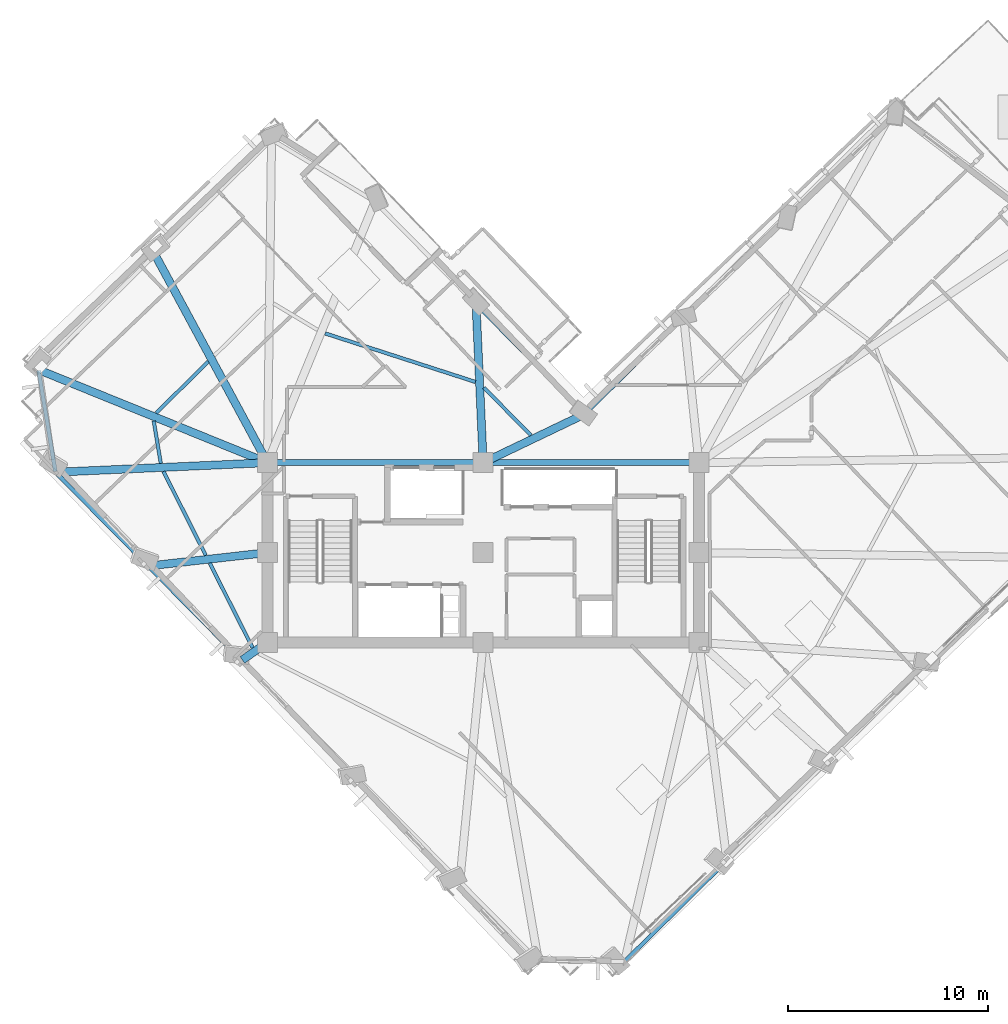
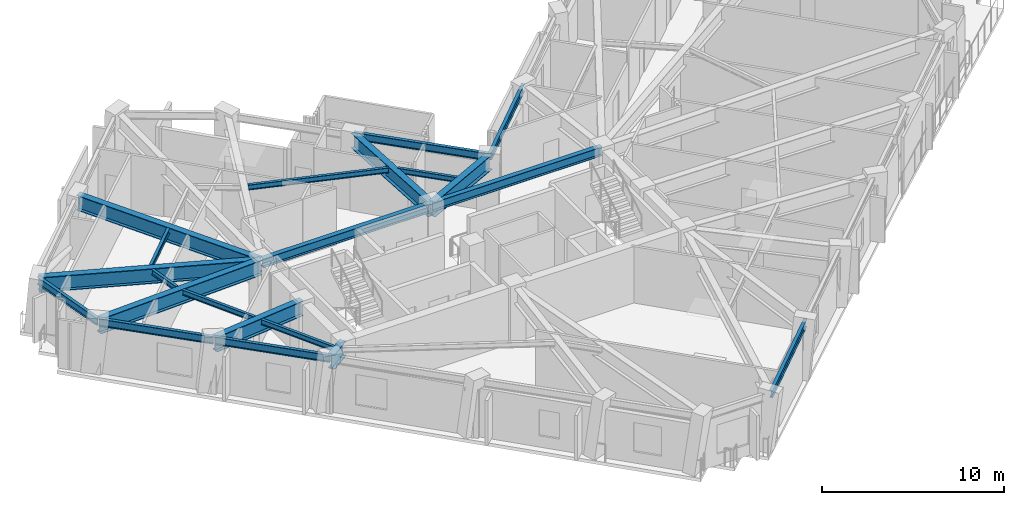
# One storey, part 3 of 17: 21 beams.
"""IFC4 building model written with IfcOpenShell, lengths in metres."""

from ifc_helpers import new_model, si_unit, direction, frame, origin, origin_2d, place, context, subcontext, project, spatial, i_section, extrude, material, material_profile, profile_set, type_object, element, save


model = new_model("IFC4")

# Units and contexts
model_context = context("Model", 3, precision=1e-05, world=origin(), true_north=direction((0.0, 1.0)))
body_context = subcontext(model_context, "Body", "Model", "MODEL_VIEW")
ifc_project = project(units=[si_unit("LENGTHUNIT", "METRE"), si_unit("AREAUNIT", "SQUARE_METRE"), si_unit("VOLUMEUNIT", "CUBIC_METRE"), si_unit("PLANEANGLEUNIT", "RADIAN"), si_unit("MASSUNIT", "GRAM", prefix="KILO")], contexts=[model_context])

# Site, building, storey
site_placement = place(None, origin())
site = spatial("IfcSite", under=ifc_project, at=site_placement, CompositionType="ELEMENT")
building_placement = place(site_placement, origin())
building = spatial("IfcBuilding", under=site, at=building_placement, Name="Gaonmaruhae Medical Tower", CompositionType="ELEMENT")
storey_placement = place(building_placement, frame((0.0, 0.0, 211.199951171875)))
storey = spatial("IfcBuildingStorey", under=building, at=storey_placement, Name="L50", CompositionType="ELEMENT", Elevation=211.199951171875)

# Beams
ifc_material_1 = material(Name="Steel SM420", Category="steel")
ifc_material_profile_1 = material_profile(ifc_material_1, i_section(OverallWidth=0.39990234375, OverallDepth=1.0, WebThickness=0.02197265625, FlangeThickness=0.035888671875, at=origin_2d()), Name="BH-1000x400x22x36")
ifc_profile_set_1 = profile_set([ifc_material_profile_1], Name="Steel SM420")
beam_type_1 = type_object("IfcBeamType", Name="BG-02 Refuge Floor Primary Girder (BH-1000x400x22x36)", PredefinedType="BEAM", material=ifc_profile_set_1)
beam_1_placement = place(storey_placement, frame((24.84521484375, 16.821533203125, 3.280029296875), z_axis=(0.901952243101, 0.431835791898, 0.0), x_axis=(-0.431835791898, 0.901952243101, 0.0)))
element("IfcBeam", 1, at=beam_1_placement, inside=storey, type_object=beam_type_1, Name="L50 Radial Primary Girder KN01", PredefinedType="BEAM", context=body_context, shape_type="SweptSolid", body=[
    extrude(i_section(OverallWidth=0.39990234375, OverallDepth=1.0, WebThickness=0.02197265625, FlangeThickness=0.035888671875, at=origin_2d()), origin(), (0.0, 0.0, 1.0), 5.542236328125),
])
beam_2_placement = place(storey_placement, frame((24.7978515625, 16.849853515625, 3.280029296875), z_axis=(-0.044925670851, 0.998990332335, 0.0), x_axis=(-0.998990332335, -0.044925670851, 0.0)))
element("IfcBeam", 2, at=beam_2_placement, inside=storey, type_object=beam_type_1, Name="L50 Radial Primary Girder NE01", PredefinedType="BEAM", context=body_context, shape_type="SweptSolid", body=[
    extrude(i_section(OverallWidth=0.39990234375, OverallDepth=1.0, WebThickness=0.02197265625, FlangeThickness=0.035888671875, at=origin_2d()), origin(), (0.0, 0.0, 1.0), 7.85791015625),
])
beam_3_placement = place(storey_placement, frame((13.976318359375, 16.843994140625, 3.280029296875), z_axis=(-0.475442224675, 0.879746947137, 0.0), x_axis=(-0.879746947137, -0.475442224675, 0.0)))
element("IfcBeam", 3, at=beam_3_placement, inside=storey, type_object=beam_type_1, Name="L50 Radial Primary Girder N02", PredefinedType="BEAM", context=body_context, shape_type="SweptSolid", body=[
    extrude(i_section(OverallWidth=0.39990234375, OverallDepth=1.0, WebThickness=0.02197265625, FlangeThickness=0.035888671875, at=origin_2d()), origin(), (0.0, 0.0, 1.0), 11.74072265625),
])
beam_4_placement = place(storey_placement, frame((13.95361328125, 16.81884765625, 3.280029296875), z_axis=(-0.926544817542, 0.376184397718, 0.0), x_axis=(-0.376184397718, -0.926544817542, 0.0)))
element("IfcBeam", 4, at=beam_4_placement, inside=storey, type_object=beam_type_1, Name="L50 Radial Primary Girder N03", PredefinedType="BEAM", context=body_context, shape_type="SweptSolid", body=[
    extrude(i_section(OverallWidth=0.39990234375, OverallDepth=1.0, WebThickness=0.02197265625, FlangeThickness=0.035888671875, at=origin_2d()), origin(), (0.0, 0.0, 1.0), 12.271728515625),
])
beam_5_placement = place(storey_placement, frame((13.949951171875, 16.7978515625, 3.280029296875), z_axis=(-0.998987257578, -0.044993990673, 0.0), x_axis=(0.044993990673, -0.998987257578, 0.0)))
element("IfcBeam", 5, at=beam_5_placement, inside=storey, type_object=beam_type_1, Name="L50 Radial Primary Girder W01", PredefinedType="BEAM", context=body_context, shape_type="SweptSolid", body=[
    extrude(i_section(OverallWidth=0.39990234375, OverallDepth=1.0, WebThickness=0.02197265625, FlangeThickness=0.035888671875, at=origin_2d()), origin(), (0.0, 0.0, 1.0), 10.521240234375),
])
beam_6_placement = place(storey_placement, frame((13.9501953125, 12.29443359375, 3.280029296875), z_axis=(-0.993708692722, -0.111995687452, 0.0), x_axis=(0.111995687452, -0.993708692722, 0.0)))
element("IfcBeam", 6, at=beam_6_placement, inside=storey, type_object=beam_type_1, Name="L50 Radial Primary Girder W02", PredefinedType="BEAM", context=body_context, shape_type="SweptSolid", body=[
    extrude(i_section(OverallWidth=0.39990234375, OverallDepth=1.0, WebThickness=0.02197265625, FlangeThickness=0.035888671875, at=origin_2d()), origin(), (0.0, 0.0, 1.0), 5.90966796875),
])
beam_7_placement = place(storey_placement, frame((13.958984375, 7.771484375, 3.280029296875), z_axis=(-0.820707091107, -0.571349166978, 0.0), x_axis=(0.571349166978, -0.820707091107, 0.0)))
element("IfcBeam", 7, at=beam_7_placement, inside=storey, type_object=beam_type_1, Name="L50 Radial Primary Girder W03", PredefinedType="BEAM", context=body_context, shape_type="SweptSolid", body=[
    extrude(i_section(OverallWidth=0.39990234375, OverallDepth=1.0, WebThickness=0.02197265625, FlangeThickness=0.035888671875, at=origin_2d()), origin(), (0.0, 0.0, 1.0), 1.482421875),
])
ifc_material_2 = material(Name="Steel SM355", Category="steel")
ifc_material_profile_2 = material_profile(ifc_material_2, i_section(OverallWidth=0.175048828125, OverallDepth=0.35009765625, WebThickness=0.007080078125, FlangeThickness=0.010986328125, FilletRadius=0.012939453125, at=origin_2d()), Name="H-350x175x7x11")
ifc_profile_set_2 = profile_set([ifc_material_profile_2], Name="Steel SM355")
beam_type_2 = type_object("IfcBeamType", Name="FJ-02 Upper Zone Ward Floor Joist (H-350x175x7x11)", PredefinedType="JOIST", material=ifc_profile_set_2)
beam_8_placement = place(storey_placement, frame((27.191650390625, 18.173095703125, 3.60498046875), z_axis=(-0.702797723295, 0.711389738562, 0.0), x_axis=(-0.711389738562, -0.702797723295, 0.0)))
element("IfcBeam", 8, at=beam_8_placement, inside=storey, type_object=beam_type_2, Name="L50 Secondary Floor Joist FJ10", PredefinedType="JOIST", context=body_context, shape_type="SweptSolid", body=[
    extrude(i_section(OverallWidth=0.175048828125, OverallDepth=0.35009765625, WebThickness=0.007080078125, FlangeThickness=0.010986328125, FilletRadius=0.012939453125, at=origin_2d()), origin(), (0.0, 0.0, 1.0), 3.35302734375),
])
beam_9_placement = place(storey_placement, frame((24.412353515625, 20.84228515625, 3.60498046875), z_axis=(-0.951599720622, 0.307340156362, 0.0), x_axis=(-0.307340156362, -0.951599720622, 0.0)))
element("IfcBeam", 9, at=beam_9_placement, inside=storey, type_object=beam_type_2, Name="L50 Secondary Floor Joist FJ11", PredefinedType="JOIST", context=body_context, shape_type="SweptSolid", body=[
    extrude(i_section(OverallWidth=0.175048828125, OverallDepth=0.35009765625, WebThickness=0.007080078125, FlangeThickness=0.010986328125, FilletRadius=0.012939453125, at=origin_2d()), origin(), (0.0, 0.0, 1.0), 7.9072265625),
])
beam_10_placement = place(storey_placement, frame((11.03271484375, 21.85791015625, 3.60498046875), z_axis=(-0.711360738638, -0.702827076544, 0.0), x_axis=(0.702827076544, -0.711360738638, 0.0)))
element("IfcBeam", 10, at=beam_10_placement, inside=storey, type_object=beam_type_2, Name="L50 Secondary Floor Joist FJ14", PredefinedType="JOIST", context=body_context, shape_type="SweptSolid", body=[
    extrude(i_section(OverallWidth=0.175048828125, OverallDepth=0.35009765625, WebThickness=0.007080078125, FlangeThickness=0.010986328125, FilletRadius=0.012939453125, at=origin_2d()), origin(), (0.0, 0.0, 1.0), 3.661865234375),
])
beam_11_placement = place(storey_placement, frame((8.307861328125, 18.8896484375, 3.60498046875), z_axis=(0.163976021817, -0.986464324884, 0.0), x_axis=(0.986464324884, 0.163976021817, 0.0)))
element("IfcBeam", 11, at=beam_11_placement, inside=storey, type_object=beam_type_2, Name="L50 Secondary Floor Joist FJ15", PredefinedType="JOIST", context=body_context, shape_type="SweptSolid", body=[
    extrude(i_section(OverallWidth=0.175048828125, OverallDepth=0.35009765625, WebThickness=0.007080078125, FlangeThickness=0.010986328125, FilletRadius=0.012939453125, at=origin_2d()), origin(), (0.0, 0.0, 1.0), 2.15283203125),
])
beam_12_placement = place(storey_placement, frame((8.796142578125, 16.360107421875, 3.60498046875), z_axis=(0.450386311746, -0.89283378643, 0.0), x_axis=(0.89283378643, 0.450386311746, 0.0)))
element("IfcBeam", 12, at=beam_12_placement, inside=storey, type_object=beam_type_2, Name="L50 Secondary Floor Joist FJ16", PredefinedType="JOIST", context=body_context, shape_type="SweptSolid", body=[
    extrude(i_section(OverallWidth=0.175048828125, OverallDepth=0.35009765625, WebThickness=0.007080078125, FlangeThickness=0.010986328125, FilletRadius=0.012939453125, at=origin_2d()), origin(), (0.0, 0.0, 1.0), 4.705078125),
])
beam_13_placement = place(storey_placement, frame((11.113037109375, 11.767822265625, 3.60498046875), z_axis=(0.451673312089, -0.89218339995, 0.0), x_axis=(0.89218339995, 0.451673312089, 0.0)))
element("IfcBeam", 13, at=beam_13_placement, inside=storey, type_object=beam_type_2, Name="L50 Secondary Floor Joist FJ17", PredefinedType="JOIST", context=body_context, shape_type="SweptSolid", body=[
    extrude(i_section(OverallWidth=0.175048828125, OverallDepth=0.35009765625, WebThickness=0.007080078125, FlangeThickness=0.010986328125, FilletRadius=0.012939453125, at=origin_2d()), origin(), (0.0, 0.0, 1.0), 4.745849609375),
])
ifc_material_profile_3 = material_profile(ifc_material_1, i_section(OverallWidth=0.300048828125, OverallDepth=0.60009765625, WebThickness=0.011962890625, FlangeThickness=0.02001953125, FilletRadius=0.012939453125, at=origin_2d()), Name="H-600x300x12x20")
ifc_profile_set_3 = profile_set([ifc_material_profile_3], Name="Steel SM420")
beam_type_3 = type_object("IfcBeamType", Name="PG-04 Zone 4 Radial Floor Girder (H-600x300x12x20)", PredefinedType="BEAM", material=ifc_profile_set_3)
for number, where, z_axis, x_axis, name in (
    (14, (14.050048828125, 16.800048828125, 3.47998046875), (1.0, 0.0, 0.0), (0.0, 1.0, 0.0), "L50 Beam BM-L50-CG-N1"),
    (15, (24.85009765625, 16.800048828125, 3.47998046875), (1.0, 0.0, 0.0), (0.0, 1.0, 0.0), "L50 Beam BM-L50-CG-N2"),
):
    element("IfcBeam", number, at=place(storey_placement, frame(where, z_axis=z_axis, x_axis=x_axis)), inside=storey, type_object=beam_type_3, Name=name, PredefinedType="BEAM", context=body_context, shape_type="SweptSolid", body=[
        extrude(i_section(OverallWidth=0.300048828125, OverallDepth=0.60009765625, WebThickness=0.011962890625, FlangeThickness=0.02001953125, FilletRadius=0.012939453125, at=origin_2d()), origin(), (0.0, 0.0, 1.0), 10.699951171875),
    ])
ifc_material_profile_4 = material_profile(ifc_material_2, i_section(OverallWidth=0.199951171875, OverallDepth=0.5, WebThickness=0.010009765625, FlangeThickness=0.01611328125, FilletRadius=0.012939453125, at=origin_2d()), Name="H-500x200x10x16")
ifc_profile_set_4 = profile_set([ifc_material_profile_4], Name="Steel SM355")
beam_type_4 = type_object("IfcBeamType", Name="SP-02 Upper Perimeter Spandrel Beam (H-500x200x10x16)", PredefinedType="SPANDREL", material=ifc_profile_set_4)
beam_14_placement = place(storey_placement, frame((31.90673828125, -8.1484375, 3.530029296875), z_axis=(0.711414118366, 0.702773044581, 0.0), x_axis=(-0.702773044581, 0.711414118366, 0.0)))
element("IfcBeam", 16, at=beam_14_placement, inside=storey, type_object=beam_type_4, Name="L50 Perimeter Spandrel Beam S01-S02", PredefinedType="SPANDREL", context=body_context, shape_type="SweptSolid", body=[
    extrude(i_section(OverallWidth=0.199951171875, OverallDepth=0.5, WebThickness=0.010009765625, FlangeThickness=0.01611328125, FilletRadius=0.012939453125, at=origin_2d()), origin(), (0.0, 0.0, 1.0), 7.119873046875),
])
beam_15_placement = place(storey_placement, frame((34.804931640625, 24.092529296875, 3.530029296875), z_axis=(-0.711429087899, -0.702757890664, 0.0), x_axis=(0.702757890664, -0.711429087899, 0.0)))
element("IfcBeam", 17, at=beam_15_placement, inside=storey, type_object=beam_type_4, Name="L50 Perimeter Spandrel Beam EN02-KN01", PredefinedType="SPANDREL", context=body_context, shape_type="SweptSolid", body=[
    extrude(i_section(OverallWidth=0.199951171875, OverallDepth=0.5, WebThickness=0.010009765625, FlangeThickness=0.01611328125, FilletRadius=0.012939453125, at=origin_2d()), origin(), (0.0, 0.0, 1.0), 6.869873046875),
])
beam_16_placement = place(storey_placement, frame((29.86083984375, 19.264892578125, 3.530029296875), z_axis=(-0.702764515488, 0.711422543761, 0.0), x_axis=(-0.711422543761, -0.702764515488, 0.0)))
element("IfcBeam", 18, at=beam_16_placement, inside=storey, type_object=beam_type_4, Name="L50 Perimeter Spandrel Beam KN01-NE01", PredefinedType="SPANDREL", context=body_context, shape_type="SweptSolid", body=[
    extrude(i_section(OverallWidth=0.199951171875, OverallDepth=0.5, WebThickness=0.010009765625, FlangeThickness=0.01611328125, FilletRadius=0.012939453125, at=origin_2d()), origin(), (0.0, 0.0, 1.0), 7.669921875),
])
beam_17_placement = place(storey_placement, frame((2.54345703125, 21.414794921875, 3.530029296875), z_axis=(0.163912034797, -0.986474959058, 0.0), x_axis=(0.986474959058, 0.163912034797, 0.0)))
element("IfcBeam", 19, at=beam_17_placement, inside=storey, type_object=beam_type_4, Name="L50 Perimeter Spandrel Beam N03-W01", PredefinedType="SPANDREL", context=body_context, shape_type="SweptSolid", body=[
    extrude(i_section(OverallWidth=0.199951171875, OverallDepth=0.5, WebThickness=0.010009765625, FlangeThickness=0.01611328125, FilletRadius=0.012939453125, at=origin_2d()), origin(), (0.0, 0.0, 1.0), 5.122314453125),
])
beam_18_placement = place(storey_placement, frame((3.417724609375, 16.2939453125, 3.530029296875), z_axis=(0.702768651794, -0.71141845777, 0.0), x_axis=(0.71141845777, 0.702768651794, 0.0)))
element("IfcBeam", 20, at=beam_18_placement, inside=storey, type_object=beam_type_4, Name="L50 Perimeter Spandrel Beam W01-W02", PredefinedType="SPANDREL", context=body_context, shape_type="SweptSolid", body=[
    extrude(i_section(OverallWidth=0.199951171875, OverallDepth=0.5, WebThickness=0.010009765625, FlangeThickness=0.01611328125, FilletRadius=0.012939453125, at=origin_2d()), origin(), (0.0, 0.0, 1.0), 6.52001953125),
])
beam_19_placement = place(storey_placement, frame((8.055908203125, 11.5986328125, 3.530029296875), z_axis=(0.702764422924, -0.711422635198, 0.0), x_axis=(0.711422635198, 0.702764422924, 0.0)))
element("IfcBeam", 21, at=beam_19_placement, inside=storey, type_object=beam_type_4, Name="L50 Perimeter Spandrel Beam W02-W03", PredefinedType="SPANDREL", context=body_context, shape_type="SweptSolid", body=[
    extrude(i_section(OverallWidth=0.199951171875, OverallDepth=0.5, WebThickness=0.010009765625, FlangeThickness=0.01611328125, FilletRadius=0.012939453125, at=origin_2d()), origin(), (0.0, 0.0, 1.0), 6.570068359375),
])

save(model, "model.ifc")
